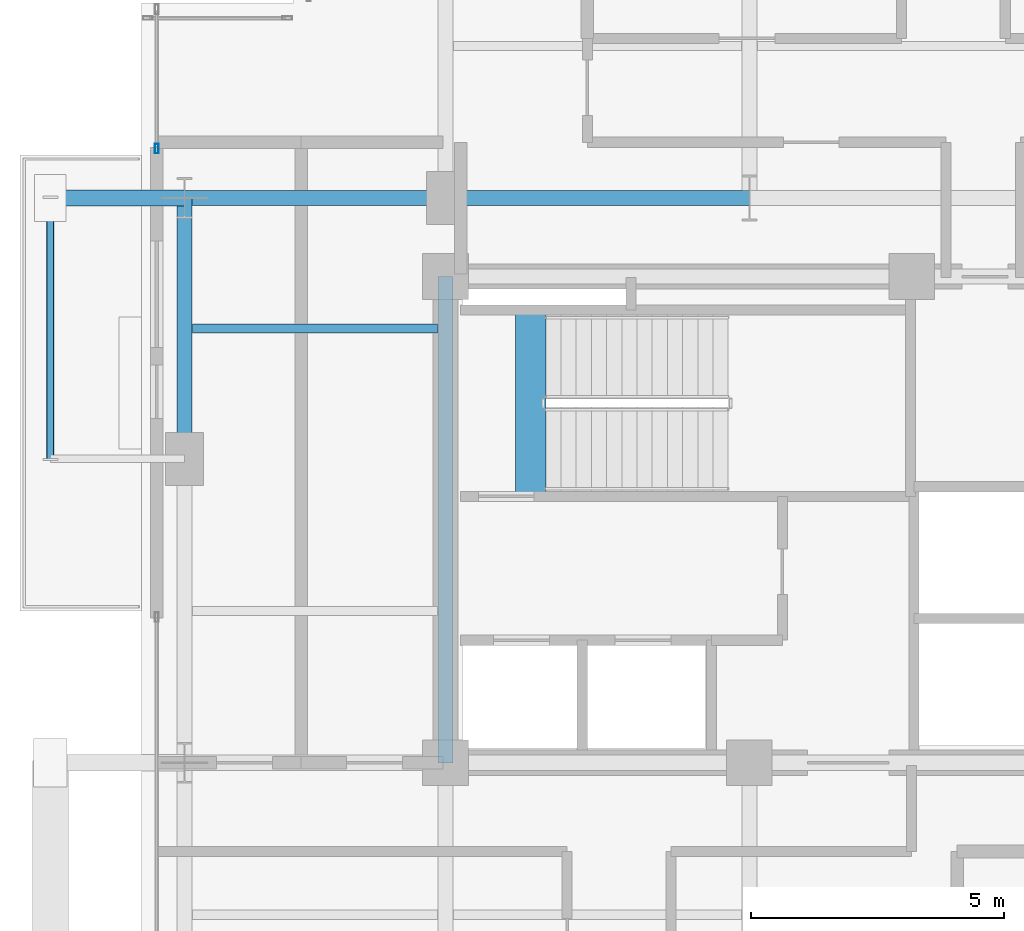
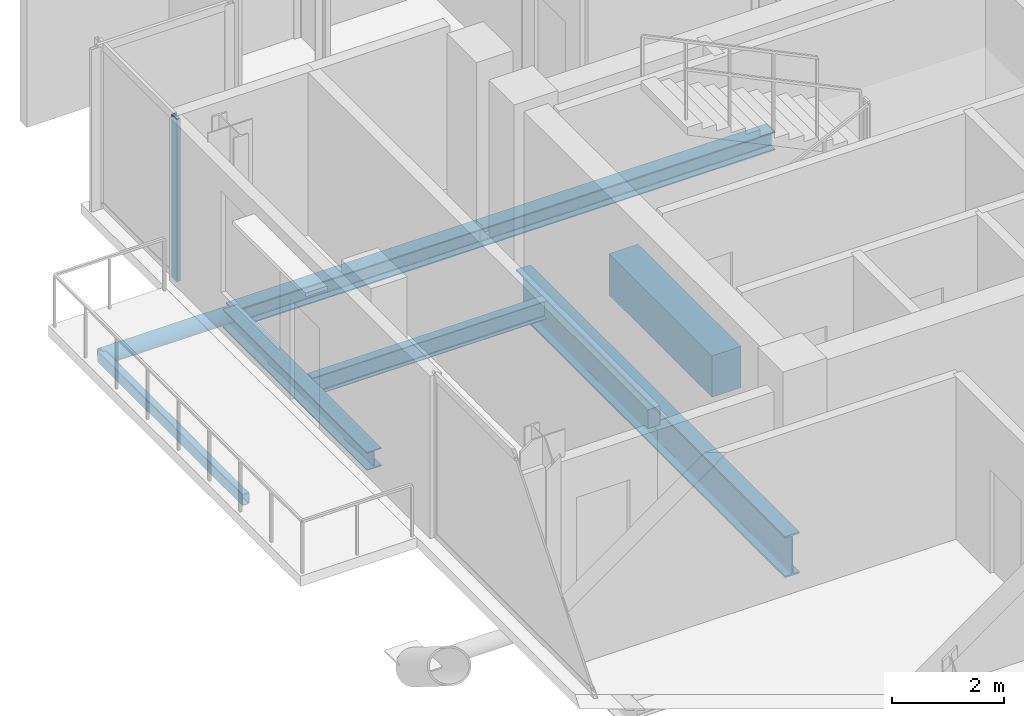
# One storey, part 8 of 26: 7 beams, 2 members, 1 element without a shape of its own.
"""IFC4 building model written with IfcOpenShell, lengths in metres."""

from ifc_helpers import new_model, si_unit, direction, frame, origin, origin_2d, place, context, subcontext, project, spatial, rectangle, hollow_rectangle, hollow_circle, i_section, extrude, material, layer, layer_set, material_profile, profile_set, type_object, element, aggregate, save


model = new_model("IFC4")

# Units and contexts
model_context = context("Model", 3, precision=1e-05, world=origin(), true_north=direction((0.0, 1.0)))
body_context = subcontext(model_context, "Body", "Model", "MODEL_VIEW")
ifc_project = project(units=[si_unit("LENGTHUNIT", "METRE"), si_unit("AREAUNIT", "SQUARE_METRE"), si_unit("VOLUMEUNIT", "CUBIC_METRE"), si_unit("PLANEANGLEUNIT", "RADIAN"), si_unit("MASSUNIT", "GRAM", prefix="KILO"), si_unit("THERMODYNAMICTEMPERATUREUNIT", "KELVIN"), si_unit("POWERUNIT", "WATT")], contexts=[model_context])

# Site, building, storey
site_placement = place(None, origin())
site = spatial("IfcSite", under=ifc_project, at=site_placement, CompositionType="ELEMENT")
building_placement = place(site_placement, origin())
building = spatial("IfcBuilding", under=site, at=building_placement, Name="Svarakhadi Broadcast Tower", CompositionType="ELEMENT")
storey_placement = place(building_placement, frame((0.0, 0.0, 180.449951171875)))
storey = spatial("IfcBuildingStorey", under=building, at=storey_placement, Name="L44", CompositionType="ELEMENT", Elevation=180.449951171875)

# Beam
ifc_material_1 = material(Name="Steel S355J2 (IS 2062 E350C)", Category="steel")
ifc_material_profile_1 = material_profile(ifc_material_1, i_section(OverallWidth=0.179931640625, OverallDepth=0.39990234375, WebThickness=0.008544921875, FlangeThickness=0.013427734375, FilletRadius=0.02099609375, at=origin_2d()), Name="NPB 400x180x66")
ifc_profile_set_1 = profile_set([ifc_material_profile_1], Name="Steel S355J2 (IS 2062 E350C)")
beam_type_1 = type_object("IfcBeamType", Name="Beam_NPB400", PredefinedType="BEAM", material=ifc_profile_set_1)
beam_1_placement = place(storey_placement, frame((1.010009765625, 26.574951171875, -0.409912109375), z_axis=(1.0, 0.0, 0.0), x_axis=(0.0, 1.0, 0.0)))
element("IfcBeam", 1, at=beam_1_placement, inside=storey, type_object=beam_type_1, Name="L44 Secondary Composite Beam SB004", PredefinedType="BEAM", context=body_context, shape_type="SweptSolid", body=[
    extrude(i_section(OverallWidth=0.179931640625, OverallDepth=0.39990234375, WebThickness=0.008544921875, FlangeThickness=0.013427734375, FilletRadius=0.02099609375, at=origin_2d()), origin(), (0.0, 0.0, 1.0), 4.830078125),
])

# Curtain wall, member
ifc_material_2 = material(Name="Anodised Bronze Aluminium AA 6063-T6", Category="aluminium")
ifc_layer = layer(ifc_material_2, 0.18994140625)
ifc_layer_set = layer_set([ifc_layer], Name="Anodised Bronze Aluminium AA 6063-T6")
curtain_wall_type = type_object("IfcCurtainWallType", Name="CW_Sys_04", PredefinedType="NOTDEFINED", material=ifc_layer_set)
curtain_wall_placement = place(storey_placement, origin())
curtain_wall = element("IfcCurtainWall", 2, at=curtain_wall_placement, inside=storey, type_object=curtain_wall_type, Name="L44 West Curtain Wall 03", PredefinedType="NOTDEFINED")
ifc_material_profile_2 = material_profile(ifc_material_2, hollow_rectangle(XDim=0.070068359375, YDim=0.18994140625, WallThickness=0.005615234375, at=origin_2d()), Name="ALU MULLION 190x70x6")
ifc_profile_set_2 = profile_set([ifc_material_profile_2], Name="Anodised Bronze Aluminium AA 6063-T6")
member_type_1 = type_object("IfcMemberType", Name="CW_Sys_04_Mul", PredefinedType="MULLION", material=ifc_profile_set_2)
member_1_placement = place(storey_placement, frame((0.300048828125, 30.125, 0.0), z_axis=(0.0, 0.0, 1.0), x_axis=(-1.0, 0.0, 0.0)))
member_1 = element("IfcMember", 3, at=member_1_placement, type_object=member_type_1, Name="CW-04 mullion 1", PredefinedType="MULLION", context=body_context, shape_type="SweptSolid", body=[
    extrude(hollow_rectangle(XDim=0.070068359375, YDim=0.18994140625, WallThickness=0.005615234375, at=origin_2d()), origin(), (0.0, 0.0, 1.0), 3.5400390625),
])
aggregate(curtain_wall, [member_1])

# Beam
ifc_material_3 = material(Name="Concrete C50/60 (IS 456 M60)", Category="concrete")
ifc_material_profile_3 = material_profile(ifc_material_3, rectangle(XDim=0.60009765625, YDim=0.89990234375, at=origin_2d()), Name="RC 600x900")
ifc_profile_set_3 = profile_set([ifc_material_profile_3], Name="Concrete C50/60 (IS 456 M60)")
beam_type_2 = type_object("IfcBeamType", Name="Coupling_RC600", PredefinedType="USERDEFINED", material=ifc_profile_set_3)
beam_2_placement = place(storey_placement, frame((7.679931640625, 23.260009765625, -0.449951171875), z_axis=(0.0, 1.0, 0.0), x_axis=(-1.0, 0.0, 0.0)))
element("IfcBeam", 4, at=beam_2_placement, inside=storey, type_object=beam_type_2, Name="L44 Stair ST-01 Landing Throat Trimmer Beam CB-01", ObjectType="GIRDER", PredefinedType="USERDEFINED", context=body_context, shape_type="SweptSolid", body=[
    extrude(rectangle(XDim=0.60009765625, YDim=0.89990234375, at=origin_2d()), origin(), (0.0, 0.0, 1.0), 3.679931640625),
])

# Member
ifc_material_4 = material(Name="Steel S460ML (IS 2062 E450BR)", Category="steel")
ifc_material_profile_4 = material_profile(ifc_material_4, hollow_circle(Radius=0.161865234375, WallThickness=0.01611328125, at=origin_2d()), Name="CHS 323.9x16")
ifc_profile_set_4 = profile_set([ifc_material_profile_4], Name="Steel S460ML (IS 2062 E450BR)")
member_type_2 = type_object("IfcMemberType", Name="Exo_Radial_Strut_Z2", PredefinedType="STRUT", material=ifc_profile_set_4)
member_2_placement = place(storey_placement, frame((-1.800048828125, 29.14990234375, -0.371826171875), z_axis=(1.0, 0.0, 0.0), x_axis=(0.0, 1.0, 0.0)))
element("IfcMember", 5, at=member_2_placement, inside=storey, type_object=member_type_2, Name="L44 Exoskeleton Radial Tie Strut W06", PredefinedType="STRUT", context=body_context, shape_type="SweptSolid", body=[
    extrude(hollow_circle(Radius=0.161865234375, WallThickness=0.01611328125, at=origin_2d()), origin(), (0.0, 0.0, 1.0), 2.650146484375),
])

# Beams
ifc_material_profile_5 = material_profile(ifc_material_1, i_section(OverallWidth=0.300048828125, OverallDepth=0.39990234375, WebThickness=0.013427734375, FlangeThickness=0.02392578125, FilletRadius=0.027099609375, at=origin_2d()), Name="WPB 400x300x155")
ifc_profile_set_5 = profile_set([ifc_material_profile_5], Name="Steel S355J2 (IS 2062 E350C)")
beam_type_3 = type_object("IfcBeamType", Name="Girder_WPB400", PredefinedType="USERDEFINED", material=ifc_profile_set_5)
beam_3_placement = place(storey_placement, frame((0.85009765625, 29.14990234375, -0.409912109375), z_axis=(1.0, 0.0, 0.0), x_axis=(0.0, 1.0, 0.0)))
element("IfcBeam", 6, at=beam_3_placement, inside=storey, type_object=beam_type_3, Name="L44 Primary E-W Girder G028", ObjectType="GIRDER", PredefinedType="USERDEFINED", context=body_context, shape_type="SweptSolid", body=[
    extrude(i_section(OverallWidth=0.300048828125, OverallDepth=0.39990234375, WebThickness=0.013427734375, FlangeThickness=0.02392578125, FilletRadius=0.027099609375, at=origin_2d()), origin(), (0.0, 0.0, 1.0), 5.14990234375),
])
beam_4_placement = place(storey_placement, frame((6.0, 29.14990234375, -0.409912109375), z_axis=(1.0, 0.0, 0.0), x_axis=(0.0, 1.0, 0.0)))
element("IfcBeam", 7, at=beam_4_placement, inside=storey, type_object=beam_type_3, Name="L44 Primary E-W Girder G029", ObjectType="GIRDER", PredefinedType="USERDEFINED", context=body_context, shape_type="SweptSolid", body=[
    extrude(i_section(OverallWidth=0.300048828125, OverallDepth=0.39990234375, WebThickness=0.013427734375, FlangeThickness=0.02392578125, FilletRadius=0.027099609375, at=origin_2d()), origin(), (0.0, 0.0, 1.0), 6.0),
])
beam_5_placement = place(storey_placement, frame((0.85009765625, 24.0, -0.409912109375), z_axis=(0.0, 1.0, 0.0), x_axis=(-1.0, 0.0, 0.0)))
element("IfcBeam", 8, at=beam_5_placement, inside=storey, type_object=beam_type_3, Name="L44 Primary N-S Girder G036", ObjectType="GIRDER", PredefinedType="USERDEFINED", context=body_context, shape_type="SweptSolid", body=[
    extrude(i_section(OverallWidth=0.300048828125, OverallDepth=0.39990234375, WebThickness=0.013427734375, FlangeThickness=0.02392578125, FilletRadius=0.027099609375, at=origin_2d()), origin(), (0.0, 0.0, 1.0), 5.14990234375),
])
ifc_material_profile_6 = material_profile(ifc_material_4, i_section(OverallWidth=0.300048828125, OverallDepth=0.89990234375, WebThickness=0.0185546875, FlangeThickness=0.034912109375, FilletRadius=0.030029296875, at=origin_2d()), Name="WPB 900x300x291")
ifc_profile_set_6 = profile_set([ifc_material_profile_6], Name="Steel S460ML (IS 2062 E450BR)")
beam_type_4 = type_object("IfcBeamType", Name="Girder_WPB900", PredefinedType="USERDEFINED", material=ifc_profile_set_6)
beam_6_placement = place(storey_placement, frame((6.0, 18.0, -0.659912109375), z_axis=(0.0, 1.0, 0.0), x_axis=(-1.0, 0.0, 0.0)))
element("IfcBeam", 9, at=beam_6_placement, inside=storey, type_object=beam_type_4, Name="L44 Primary N-S Girder G040", ObjectType="GIRDER", PredefinedType="USERDEFINED", context=body_context, shape_type="SweptSolid", body=[
    extrude(i_section(OverallWidth=0.300048828125, OverallDepth=0.89990234375, WebThickness=0.0185546875, FlangeThickness=0.034912109375, FilletRadius=0.030029296875, at=origin_2d()), origin(), (0.0, 0.0, 1.0), 9.60009765625),
])
ifc_material_profile_7 = material_profile(ifc_material_4, hollow_rectangle(XDim=0.14990234375, YDim=0.25, WallThickness=0.010009765625, InnerFilletRadius=0.010009765625, OuterFilletRadius=0.02001953125, at=origin_2d()), Name="RHS 250x150x10")
ifc_profile_set_7 = profile_set([ifc_material_profile_7], Name="Steel S460ML (IS 2062 E450BR)")
beam_type_5 = type_object("IfcBeamType", Name="Spandrel_RHS250", PredefinedType="SPANDREL", material=ifc_profile_set_7)
beam_7_placement = place(storey_placement, frame((-1.800048828125, 24.0, -0.349853515625), z_axis=(0.0, 1.0, 0.0), x_axis=(-1.0, 0.0, 0.0)))
element("IfcBeam", 10, at=beam_7_placement, inside=storey, type_object=beam_type_5, Name="L44 Balcony Outer Spandrel 2F", PredefinedType="SPANDREL", context=body_context, shape_type="SweptSolid", body=[
    extrude(hollow_rectangle(XDim=0.14990234375, YDim=0.25, WallThickness=0.010009765625, InnerFilletRadius=0.010009765625, OuterFilletRadius=0.02001953125, at=origin_2d()), origin(), (0.0, 0.0, 1.0), 5.14990234375),
])

save(model, "model.ifc")
